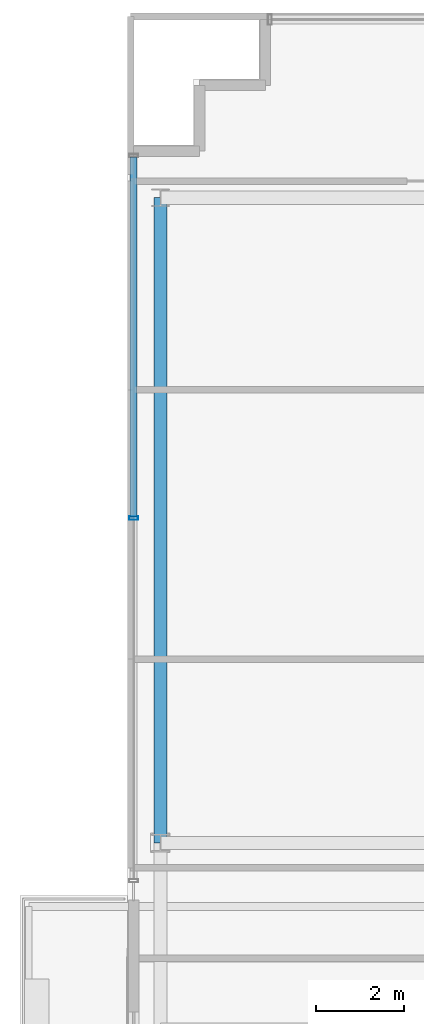
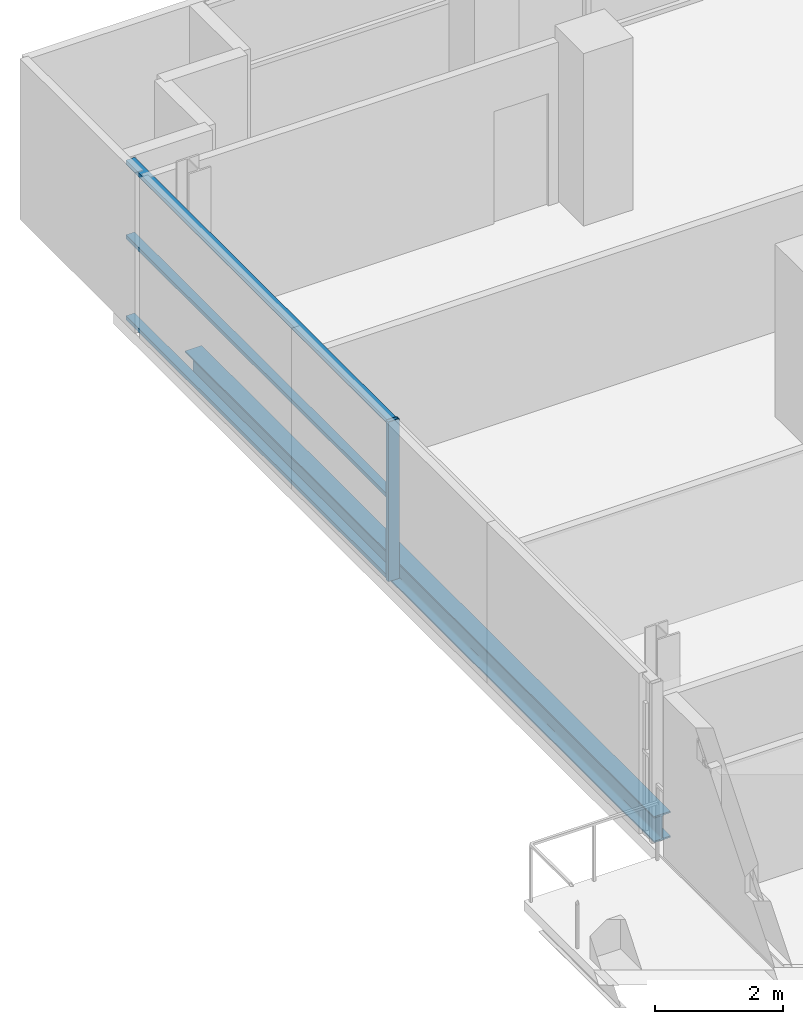
# One storey, part 8 of 28: 4 members, 1 beam, 1 element without a shape of its own.
"""IFC4 building model written with IfcOpenShell, lengths in metres."""

import ifcopenshell
import ifcopenshell.guid

model = None  # the IFC model being written
_history = None  # IfcOwnerHistory: only IFC2X3 demands one
_inside = {}  # id of a spatial element -> (the spatial element, [elements in it])
_under = {}  # id of a project, library or spatial element -> (it, [spatial elements below it])
_declared = {}  # id of a project -> (the project, [libraries it declares])
_typed = {}  # id of a type object -> (the type object, [elements of that type])
_made_of = {}  # id of a material, layer set ... -> (it, [elements and type objects made of it])


def new_model(schema):
    """Start an empty IFC model of exactly this schema.

    Asked for "IFC4X3", IfcOpenShell would pick the latest addendum, in which some entities
    have other attributes; the version numbers below select the first issue.
    IFC2X3 requires an IfcOwnerHistory on every rooted entity: one is made here for all.
    """
    global model, _history
    if schema == "IFC4X3":
        model = ifcopenshell.file(schema_version=(4, 3, 0, 0))
    else:
        model = ifcopenshell.file(schema=schema)
    _inside.clear()
    _under.clear()
    _declared.clear()
    _typed.clear()
    _made_of.clear()
    _history = None
    if model.schema == "IFC2X3":
        org = make("IfcOrganization", Name="unknown")
        user = make(
            "IfcPersonAndOrganization",
            ThePerson=make("IfcPerson", FamilyName="unknown"),
            TheOrganization=org,
        )
        app = make(
            "IfcApplication",
            ApplicationDeveloper=org,
            Version="unknown",
            ApplicationFullName="unknown",
            ApplicationIdentifier="unknown",
        )
        _history = make(
            "IfcOwnerHistory",
            OwningUser=user,
            OwningApplication=app,
            ChangeAction="ADDED",
            CreationDate=0,
        )
    return model


def make(cls, **values):
    """One entity of the class cls with the attributes given. An attribute that is None is left unset."""
    return model.create_entity(
        cls, **{name: value for name, value in values.items() if value is not None}
    )


def rooted(cls, **values):
    """An entity with a GlobalId (a new one), such as an element, a storey or a relation."""
    return make(cls, GlobalId=ifcopenshell.guid.new(), OwnerHistory=_history, **values)


def si_unit(unit_type, name, prefix=None):
    """IfcSIUnit, for example si_unit("LENGTHUNIT", "METRE", prefix="MILLI")."""
    return make("IfcSIUnit", UnitType=unit_type, Prefix=prefix, Name=name)


def assignment(units):
    """IfcUnitAssignment: the units of a project."""
    return None if units is None else make("IfcUnitAssignment", Units=units)


def point(xyz):
    """IfcCartesianPoint."""
    return None if xyz is None else make("IfcCartesianPoint", Coordinates=xyz)


def direction(xyz):
    """IfcDirection."""
    return None if xyz is None else make("IfcDirection", DirectionRatios=xyz)


def frame(location, z_axis=None, x_axis=None):
    """IfcAxis2Placement3D, a coordinate frame: its origin and axes. An axis left out is left unset."""
    return make(
        "IfcAxis2Placement3D",
        Location=point(location),
        Axis=direction(z_axis),
        RefDirection=direction(x_axis),
    )


def frame_2d(location, x_axis=None):
    """IfcAxis2Placement2D, a coordinate frame in the plane: its origin and x axis."""
    return make(
        "IfcAxis2Placement2D", Location=point(location), RefDirection=direction(x_axis)
    )


def origin():
    """The frame at (0, 0, 0) with its axes left unset."""
    return frame((0.0, 0.0, 0.0))


def origin_2d():
    """The frame at (0, 0) in the plane with its x axis left unset."""
    return frame_2d((0.0, 0.0))


def place(relative_to, where):
    """IfcLocalPlacement: puts the frame where relative to a parent placement (None: the world)."""
    return make(
        "IfcLocalPlacement", PlacementRelTo=relative_to, RelativePlacement=where
    )


def context(
    kind, dimensions, precision=None, world=None, true_north=None, identifier=None
):
    """IfcGeometricRepresentationContext, for example the 3D "Model" context."""
    return make(
        "IfcGeometricRepresentationContext",
        ContextIdentifier=identifier,
        ContextType=kind,
        CoordinateSpaceDimension=dimensions,
        Precision=precision,
        WorldCoordinateSystem=world,
        TrueNorth=true_north,
    )


def subcontext(parent, identifier, kind, view, scale=None):
    """IfcGeometricRepresentationSubContext, for example "Body" below "Model"."""
    return make(
        "IfcGeometricRepresentationSubContext",
        ContextIdentifier=identifier,
        ContextType=kind,
        ParentContext=parent,
        TargetScale=scale,
        TargetView=view,
    )


def project(units=None, contexts=None):
    """IfcProject with its units and contexts."""
    return rooted(
        "IfcProject",
        Name="project",
        RepresentationContexts=contexts,
        UnitsInContext=assignment(units),
    )


def spatial(cls, under=None, at=None, **own):
    """A site, building, storey or space (cls), placed at a placement, below another one or the project."""
    s = rooted(cls, ObjectPlacement=at, **own)
    if under is not None:
        _under.setdefault(under.id(), (under, []))[1].append(s)
    return s


def profile(cls, at=None, kind="AREA", **sizes):
    """A parametric profile (cls). Its sizes go by their IFC names, for example OverallWidth=200.0."""
    return make(cls, ProfileType=kind, Position=at, **sizes)


def hollow_rectangle(**sizes):
    """IfcRectangleHollowProfileDef."""
    return profile("IfcRectangleHollowProfileDef", **sizes)


def i_section(**sizes):
    """IfcIShapeProfileDef."""
    return profile("IfcIShapeProfileDef", **sizes)


def extrude(swept, where, along, depth):
    """IfcExtrudedAreaSolid: the profile swept, set in the frame where, extruded along a direction by depth."""
    return make(
        "IfcExtrudedAreaSolid",
        SweptArea=swept,
        Position=where,
        ExtrudedDirection=direction(along),
        Depth=depth,
    )


def shape(context_of_items, identifier, shape_type, items):
    """IfcShapeRepresentation: the items that make up one representation, for example the "Body"."""
    return make(
        "IfcShapeRepresentation",
        ContextOfItems=context_of_items,
        RepresentationIdentifier=identifier,
        RepresentationType=shape_type,
        Items=items,
    )


def source(mapping_origin, context_of_items, identifier, shape_type, items):
    """IfcRepresentationMap: a shape defined once, which mapped items show again and again."""
    return make(
        "IfcRepresentationMap",
        MappingOrigin=mapping_origin,
        MappedRepresentation=shape(context_of_items, identifier, shape_type, items),
    )


def transform(
    local_origin,
    x_axis=None,
    y_axis=None,
    z_axis=None,
    scale=None,
    scale2=None,
    scale3=None,
    uniform=True,
):
    """IfcCartesianTransformationOperator3D, or its non-uniform kind. x_axis, y_axis, z_axis: its Axis1, 2, 3."""
    if uniform:
        return make(
            "IfcCartesianTransformationOperator3D",
            Axis1=direction(x_axis),
            Axis2=direction(y_axis),
            LocalOrigin=point(local_origin),
            Scale=scale,
            Axis3=direction(z_axis),
        )
    return make(
        "IfcCartesianTransformationOperator3DnonUniform",
        Axis1=direction(x_axis),
        Axis2=direction(y_axis),
        LocalOrigin=point(local_origin),
        Scale=scale,
        Axis3=direction(z_axis),
        Scale2=scale2,
        Scale3=scale3,
    )


def mapped(mapping_source, mapping_target):
    """IfcMappedItem: shows the shape of a source again, moved by a transform."""
    return make(
        "IfcMappedItem", MappingSource=mapping_source, MappingTarget=mapping_target
    )


def material(Name=None, Category=None):
    """IfcMaterial."""
    return make("IfcMaterial", Name=Name, Category=Category)


def layer(
    of_material, thickness, ventilated=None, Name=None, Category=None, Priority=None
):
    """IfcMaterialLayer: one layer of a wall or slab, of a material (None: an air gap)."""
    return make(
        "IfcMaterialLayer",
        Material=of_material,
        LayerThickness=thickness,
        IsVentilated=ventilated,
        Name=Name,
        Category=Category,
        Priority=Priority,
    )


def layer_set(layers, Name=None):
    """IfcMaterialLayerSet."""
    return make("IfcMaterialLayerSet", MaterialLayers=layers, LayerSetName=Name)


def material_profile(
    of_material, cross_section, Name=None, Category=None, Priority=None
):
    """IfcMaterialProfile: a cross section and its material."""
    return make(
        "IfcMaterialProfile",
        Name=Name,
        Material=of_material,
        Profile=cross_section,
        Priority=Priority,
        Category=Category,
    )


def profile_set(profiles, Name=None, composite=None):
    """IfcMaterialProfileSet."""
    return make(
        "IfcMaterialProfileSet",
        Name=Name,
        MaterialProfiles=profiles,
        CompositeProfile=composite,
    )


def made_of(thing, what):
    """Note that an element or type object is made of a material, layer set ...; save() writes the relation."""
    if what is not None:
        _made_of.setdefault(what.id(), (what, []))[1].append(thing)
    return thing


def type_object(cls, material=None, **own):
    """A type object (cls), such as IfcWallType, which elements share."""
    return made_of(rooted(cls, **own), material)


def element(
    cls,
    number,
    at=None,
    inside=None,
    cuts=None,
    type_object=None,
    material=None,
    context=None,
    identifier="Body",
    shape_type=None,
    held_by="IfcProductDefinitionShape",
    body=None,
    shapes=None,
    **own,
):
    """One element of the class cls, such as IfcWall. Its Tag is "e" and its number.

    at: its placement. inside: the storey or other place that contains it. cuts: it is an
    opening in that element (IfcRelVoidsElement). A single representation is given by context,
    identifier, shape_type and body (its items); several are given by shapes. held_by: the class
    of the entity that holds the representations. save() writes the other relations.
    """
    e = rooted(cls, Tag="e%d" % number, ObjectPlacement=at, **own)
    if body is not None:
        shapes = [shape(context, identifier, shape_type, body)]
    if shapes is not None:
        e.Representation = make(held_by, Representations=shapes)
    if inside is not None:
        _inside.setdefault(inside.id(), (inside, []))[1].append(e)
    if cuts is not None:
        rooted(
            "IfcRelVoidsElement", RelatingBuildingElement=cuts, RelatedOpeningElement=e
        )
    if type_object is not None:
        _typed.setdefault(type_object.id(), (type_object, []))[1].append(e)
    return made_of(e, material)


def aggregate(whole, parts):
    """IfcRelAggregates: a whole, such as a stair, and the parts it consists of."""
    return rooted("IfcRelAggregates", RelatingObject=whole, RelatedObjects=parts)


def save(model, path):
    """Write the relations noted so far, then the file.

    IfcRelAggregates (storeys below a building ...), IfcRelContainedInSpatialStructure (elements
    in a storey), IfcRelDefinesByType, IfcRelAssociatesMaterial and IfcRelDeclares: one each for
    every whole, place, type object, material and project.
    """
    for whole, parts in _under.values():
        aggregate(whole, parts)
    for where, things in _inside.values():
        rooted(
            "IfcRelContainedInSpatialStructure",
            RelatedElements=things,
            RelatingStructure=where,
        )
    for kind, things in _typed.values():
        rooted("IfcRelDefinesByType", RelatedObjects=things, RelatingType=kind)
    for what, things in _made_of.values():
        rooted("IfcRelAssociatesMaterial", RelatedObjects=things, RelatingMaterial=what)
    for by, libraries in _declared.values():
        rooted("IfcRelDeclares", RelatingContext=by, RelatedDefinitions=libraries)
    model.write(path)


model = new_model("IFC4")

# Units and contexts
model_context = context("Model", 3, precision=1e-05, world=origin(), true_north=direction((0.0, 1.0)))
body_context = subcontext(model_context, "Body", "Model", "MODEL_VIEW")
ifc_project = project(units=[si_unit("LENGTHUNIT", "METRE"), si_unit("AREAUNIT", "SQUARE_METRE"), si_unit("VOLUMEUNIT", "CUBIC_METRE"), si_unit("PLANEANGLEUNIT", "RADIAN"), si_unit("MASSUNIT", "GRAM", prefix="KILO")], contexts=[model_context])

# Site, building, storey
site_placement = place(None, origin())
site = spatial("IfcSite", under=ifc_project, at=site_placement, CompositionType="ELEMENT")
building_placement = place(site_placement, origin())
building = spatial("IfcBuilding", under=site, at=building_placement, Name="Zarnakvel Exchange Tower", CompositionType="ELEMENT")
storey_placement = place(building_placement, frame((0.0, 0.0, 103.300048828125)))
storey = spatial("IfcBuildingStorey", under=building, at=storey_placement, Name="L28", CompositionType="ELEMENT", Elevation=103.300048828125)

# Beam
ifc_material_1 = material(Name="Steel S355", Category="steel")
ifc_material_profile_1 = material_profile(ifc_material_1, i_section(OverallWidth=0.300048828125, OverallDepth=0.5, WebThickness=0.014404296875, FlangeThickness=0.028076171875, FilletRadius=0.027099609375, at=origin_2d()))
ifc_profile_set_1 = profile_set([ifc_material_profile_1], Name="Steel S355")
beam_type = type_object("IfcBeamType", Name="SP-02", PredefinedType="SPANDREL", material=ifc_profile_set_1)
beam_placement = place(storey_placement, frame((-28.85009765625, -1.199951171875, -0.47509765625), z_axis=(0.0, 1.0, 0.0), x_axis=(-1.0, 0.0, 0.0)))
element("IfcBeam", 1, at=beam_placement, inside=storey, type_object=beam_type, Name="L28 Tower N-S Frame Beam", PredefinedType="SPANDREL", context=body_context, shape_type="SweptSolid", body=[
    extrude(i_section(OverallWidth=0.300048828125, OverallDepth=0.5, WebThickness=0.014404296875, FlangeThickness=0.028076171875, FilletRadius=0.027099609375, at=origin_2d()), origin(), (0.0, 0.0, 1.0), 14.699951171875),
])

# Curtain wall, members
ifc_material_2 = material(Name="Architectural Bronze Anodised Aluminium", Category="aluminium")
ifc_layer = layer(ifc_material_2, 0.199951171875)
ifc_layer_set = layer_set([ifc_layer], Name="Architectural Bronze Anodised Aluminium")
curtain_wall_type = type_object("IfcCurtainWallType", Name="CW-04", PredefinedType="NOTDEFINED", material=ifc_layer_set)
curtain_wall_placement = place(storey_placement, origin())
curtain_wall = element("IfcCurtainWall", 2, at=curtain_wall_placement, inside=storey, type_object=curtain_wall_type, Name="L28 Curtain Wall CW-L28-WN (CW-04)", PredefinedType="NOTDEFINED")
ifc_material_profile_2 = material_profile(ifc_material_2, hollow_rectangle(XDim=0.199951171875, YDim=0.074951171875, WallThickness=0.0048828125, at=origin_2d()))
ifc_profile_set_2 = profile_set([ifc_material_profile_2], Name="Architectural Bronze Anodised Aluminium")
member_type_1 = type_object("IfcMemberType", Name="CWM-04", PredefinedType="MULLION", material=ifc_profile_set_2)
shared_shape_1 = source(origin(), body_context, "Body", "SweptSolid", [
    extrude(hollow_rectangle(XDim=0.199951171875, YDim=0.074951171875, WallThickness=0.0048828125, at=origin_2d()), origin(), (0.0, 0.0, 1.0), 3.054931640625),
])
member_1_placement = place(storey_placement, frame((-29.4599609375, 6.199951171875, 0.0), z_axis=(0.0, 0.0, 1.0), x_axis=(-1.0, 0.0, 0.0)))
member_1 = element("IfcMember", 3, at=member_1_placement, type_object=member_type_1, Name="CW-04 mullion 2", PredefinedType="MULLION", context=body_context, shape_type="MappedRepresentation", body=[
    mapped(shared_shape_1, transform((0.0, 0.0, 0.0), x_axis=(1.0, 0.0, 0.0), y_axis=(0.0, 1.0, 0.0), z_axis=(0.0, 0.0, 1.0), scale=1.0)),
])
ifc_material_profile_3 = material_profile(ifc_material_2, hollow_rectangle(XDim=0.159912109375, YDim=0.074951171875, WallThickness=0.00390625, at=origin_2d()))
ifc_profile_set_3 = profile_set([ifc_material_profile_3], Name="Architectural Bronze Anodised Aluminium")
member_type_2 = type_object("IfcMemberType", Name="CWT-04", PredefinedType="USERDEFINED", material=ifc_profile_set_3)
shared_shape_2 = source(origin(), body_context, "Body", "SweptSolid", [
    extrude(hollow_rectangle(XDim=0.159912109375, YDim=0.074951171875, WallThickness=0.00390625, at=origin_2d()), origin(), (0.0, 0.0, 1.0), 8.1875),
])
member_2_placement = place(storey_placement, frame((-29.4599609375, 6.237548828125, 0.037353515625), z_axis=(0.0, 1.0, 0.0), x_axis=(-1.0, 0.0, 0.0)))
member_2 = element("IfcMember", 4, at=member_2_placement, type_object=member_type_2, Name="CW-04 transom 2.1", ObjectType="TRANSOM", PredefinedType="USERDEFINED", context=body_context, shape_type="MappedRepresentation", body=[
    mapped(shared_shape_2, transform((0.0, 0.0, 0.0), x_axis=(1.0, 0.0, 0.0), y_axis=(0.0, 1.0, 0.0), z_axis=(0.0, 0.0, 1.0), scale=1.0)),
])
member_3_placement = place(storey_placement, frame((-29.4599609375, 6.237548828125, 1.588623046875), z_axis=(0.0, 1.0, 0.0), x_axis=(-1.0, 0.0, 0.0)))
member_3 = element("IfcMember", 5, at=member_3_placement, type_object=member_type_2, Name="CW-04 transom 2.2", ObjectType="TRANSOM", PredefinedType="USERDEFINED", context=body_context, shape_type="MappedRepresentation", body=[
    mapped(shared_shape_2, transform((0.0, 0.0, 0.0), x_axis=(1.0, 0.0, 0.0), y_axis=(0.0, 1.0, 0.0), z_axis=(0.0, 0.0, 1.0), scale=1.0)),
])
member_4_placement = place(storey_placement, frame((-29.4599609375, 6.237548828125, 3.017333984375), z_axis=(0.0, 1.0, 0.0), x_axis=(-1.0, 0.0, 0.0)))
member_4 = element("IfcMember", 6, at=member_4_placement, type_object=member_type_2, Name="CW-04 transom 2.3", ObjectType="TRANSOM", PredefinedType="USERDEFINED", context=body_context, shape_type="MappedRepresentation", body=[
    mapped(shared_shape_2, transform((0.0, 0.0, 0.0), x_axis=(1.0, 0.0, 0.0), y_axis=(0.0, 1.0, 0.0), z_axis=(0.0, 0.0, 1.0), scale=1.0)),
])
aggregate(curtain_wall, [member_1, member_2, member_3, member_4])

save(model, "model.ifc")
